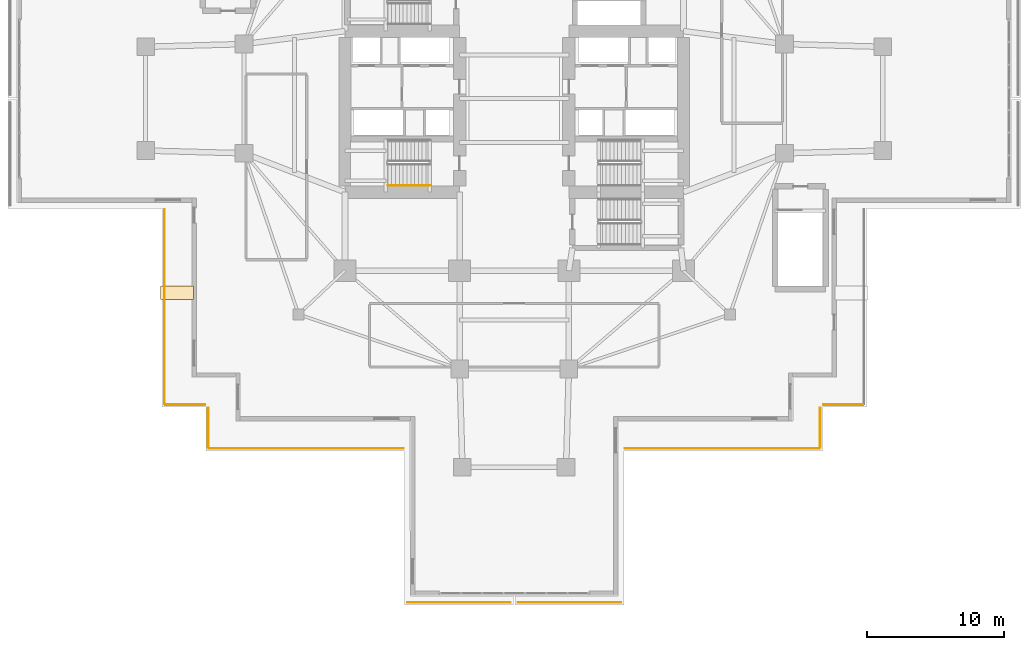
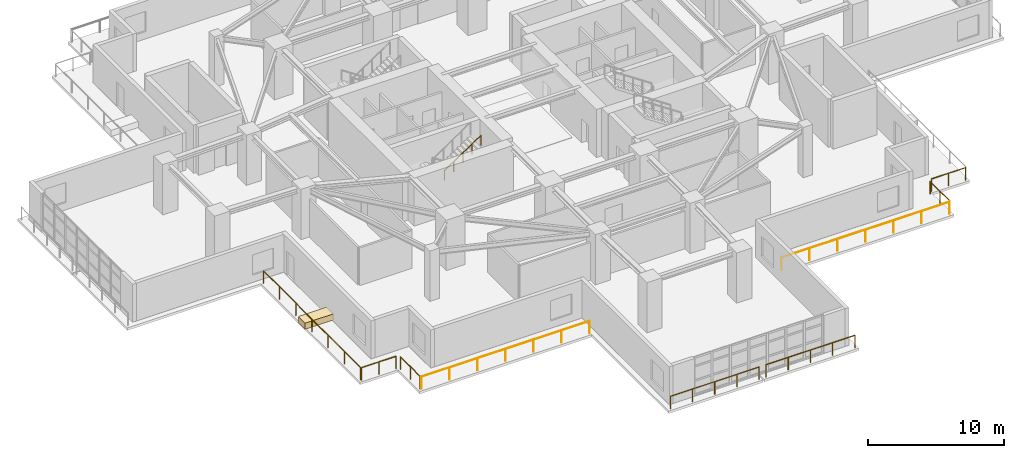
# One storey, part 19 of 24: 10 railings, 1 covering.
"""IFC4 building model written with IfcOpenShell, lengths in metres."""

from ifc_helpers import new_model, si_unit, direction, frame, origin, origin_2d, place, context, subcontext, project, spatial, rectangle, circle, extrude, material, layer, layer_set, type_object, element, save


model = new_model("IFC4")

# Units and contexts
model_context = context("Model", 3, precision=1e-05, world=origin(), true_north=direction((0.0, 1.0)))
body_context = subcontext(model_context, "Body", "Model", "MODEL_VIEW")
ifc_project = project(units=[si_unit("LENGTHUNIT", "METRE"), si_unit("AREAUNIT", "SQUARE_METRE"), si_unit("VOLUMEUNIT", "CUBIC_METRE"), si_unit("PLANEANGLEUNIT", "RADIAN"), si_unit("MASSUNIT", "GRAM", prefix="KILO")], contexts=[model_context])

# Site, building, storey
site_placement = place(None, origin())
site = spatial("IfcSite", under=ifc_project, at=site_placement, CompositionType="ELEMENT")
building_placement = place(site_placement, origin())
building = spatial("IfcBuilding", under=site, at=building_placement, Name="Qingluan Cross Belvedere", CompositionType="ELEMENT")
storey_placement = place(building_placement, frame((0.0, 0.0, 19.199951171875)))
storey = spatial("IfcBuildingStorey", under=building, at=storey_placement, Name="L05", CompositionType="ELEMENT", Elevation=19.199951171875)

# Railings
ifc_material_1 = material(Name="Brushed stainless steel tubular handrail", Category="steel")
railing_type_1 = type_object("IfcRailingType", Name="StairPitchHandrail_900", PredefinedType="HANDRAIL", material=ifc_material_1)
railing_1_placement = place(storey_placement, frame((-9.260009765625, -6.35009765625, 2.4375)))
element("IfcRailing", 1, at=railing_1_placement, inside=storey, type_object=railing_type_1, Name="L05 ST1 stair handrail 2", PredefinedType="HANDRAIL", context=body_context, shape_type="SweptSolid", body=[
    extrude(circle(Radius=0.02392578125, at=origin_2d()), frame((0.0, 0.0, 0.8759765625), z_axis=(0.830913701846, 0.0, 0.55640131208), x_axis=(0.0, 1.0, 0.0)), (0.0, 0.0, 1.0), 3.706787109375),
    extrude(circle(Radius=0.02099609375, at=origin_2d()), origin(), (0.0, 0.0, 1.0), 0.851806640625),
    extrude(circle(Radius=0.02099609375, at=origin_2d()), frame((0.77001953125, 0.0, 0.515625)), (0.0, 0.0, 1.0), 0.851806640625),
    extrude(circle(Radius=0.02099609375, at=origin_2d()), frame((1.5400390625, 0.0, 1.03125)), (0.0, 0.0, 1.0), 0.851806640625),
    extrude(circle(Radius=0.02099609375, at=origin_2d()), frame((2.31005859375, 0.0, 1.546875)), (0.0, 0.0, 1.0), 0.851806640625),
    extrude(circle(Radius=0.02099609375, at=origin_2d()), frame((3.080078125, 0.0, 2.0625)), (0.0, 0.0, 1.0), 0.851806640625),
])
ifc_material_2 = material(Name="Laminated glass and stainless steel balustrade", Category="steel")
railing_type_2 = type_object("IfcRailingType", Name="TerraceGuardBalustrade_1150", PredefinedType="BALUSTRADE", material=ifc_material_2)
railing_2_placement = place(storey_placement, frame((-0.2900390625, -36.919921875, 0.0)))
element("IfcRailing", 2, at=railing_2_placement, inside=storey, type_object=railing_type_2, Name="Terrace guard L05-1", PredefinedType="BALUSTRADE", context=body_context, shape_type="SweptSolid", body=[
    extrude(circle(Radius=0.02392578125, at=origin_2d()), frame((0.0, 0.0, 1.1259765625), z_axis=(-1.0, 0.0, 0.0), x_axis=(0.0, -1.0, 0.0)), (0.0, 0.0, 1.0), 7.52001953125),
    extrude(circle(Radius=0.02099609375, at=origin_2d()), origin(), (0.0, 0.0, 1.0), 1.101806640625),
    extrude(circle(Radius=0.02099609375, at=origin_2d()), frame((-1.8798828125, 0.0, 0.0)), (0.0, 0.0, 1.0), 1.101806640625),
    extrude(circle(Radius=0.02099609375, at=origin_2d()), frame((-3.760009765625, 0.0, 0.0)), (0.0, 0.0, 1.0), 1.101806640625),
    extrude(circle(Radius=0.02099609375, at=origin_2d()), frame((-5.64013671875, 0.0, 0.0)), (0.0, 0.0, 1.0), 1.101806640625),
    extrude(circle(Radius=0.02099609375, at=origin_2d()), frame((-7.52001953125, 0.0, 0.0)), (0.0, 0.0, 1.0), 1.101806640625),
])
railing_3_placement = place(storey_placement, frame((-8.110107421875, -25.6201171875, 0.0)))
element("IfcRailing", 3, at=railing_3_placement, inside=storey, type_object=railing_type_2, Name="Terrace guard L05-2", PredefinedType="BALUSTRADE", context=body_context, shape_type="SweptSolid", body=[
    extrude(circle(Radius=0.02392578125, at=origin_2d()), frame((0.0, 0.0, 1.1259765625), z_axis=(-1.0, 0.0, 0.0), x_axis=(0.0, -1.0, 0.0)), (0.0, 0.0, 1.0), 14.25),
    extrude(circle(Radius=0.02099609375, at=origin_2d()), origin(), (0.0, 0.0, 1.0), 1.101806640625),
    extrude(circle(Radius=0.02099609375, at=origin_2d()), frame((-2.375, 0.0, 0.0)), (0.0, 0.0, 1.0), 1.101806640625),
    extrude(circle(Radius=0.02099609375, at=origin_2d()), frame((-4.75, 0.0, 0.0)), (0.0, 0.0, 1.0), 1.101806640625),
    extrude(circle(Radius=0.02099609375, at=origin_2d()), frame((-7.125, 0.0, 0.0)), (0.0, 0.0, 1.0), 1.101806640625),
    extrude(circle(Radius=0.02099609375, at=origin_2d()), frame((-9.5, 0.0, 0.0)), (0.0, 0.0, 1.0), 1.101806640625),
    extrude(circle(Radius=0.02099609375, at=origin_2d()), frame((-11.875, 0.0, 0.0)), (0.0, 0.0, 1.0), 1.101806640625),
    extrude(circle(Radius=0.02099609375, at=origin_2d()), frame((-14.25, 0.0, 0.0)), (0.0, 0.0, 1.0), 1.101806640625),
])
railing_4_placement = place(storey_placement, frame((-22.419921875, -25.56005859375, 0.0)))
element("IfcRailing", 4, at=railing_4_placement, inside=storey, type_object=railing_type_2, Name="Terrace guard L05-3", PredefinedType="BALUSTRADE", context=body_context, shape_type="SweptSolid", body=[
    extrude(circle(Radius=0.02392578125, at=origin_2d()), frame((0.0, 0.0, 1.1259765625), z_axis=(0.0, 1.0, 0.0), x_axis=(-1.0, 0.0, 0.0)), (0.0, 0.0, 1.0), 2.900146484375),
    extrude(circle(Radius=0.02099609375, at=origin_2d()), origin(), (0.0, 0.0, 1.0), 1.101806640625),
    extrude(circle(Radius=0.02099609375, at=origin_2d()), frame((0.0, 1.4501953125, 0.0)), (0.0, 0.0, 1.0), 1.101806640625),
    extrude(circle(Radius=0.02099609375, at=origin_2d()), frame((0.0, 2.900146484375, 0.0)), (0.0, 0.0, 1.0), 1.101806640625),
])
railing_5_placement = place(storey_placement, frame((-22.659912109375, -22.419921875, 0.0)))
element("IfcRailing", 5, at=railing_5_placement, inside=storey, type_object=railing_type_2, Name="Terrace guard L05-4", PredefinedType="BALUSTRADE", context=body_context, shape_type="SweptSolid", body=[
    extrude(circle(Radius=0.02392578125, at=origin_2d()), frame((0.0, 0.0, 1.1259765625), z_axis=(-1.0, 0.0, 0.0), x_axis=(0.0, -1.0, 0.0)), (0.0, 0.0, 1.0), 2.900146484375),
    extrude(circle(Radius=0.02099609375, at=origin_2d()), origin(), (0.0, 0.0, 1.0), 1.101806640625),
    extrude(circle(Radius=0.02099609375, at=origin_2d()), frame((-1.4501953125, 0.0, 0.0)), (0.0, 0.0, 1.0), 1.101806640625),
    extrude(circle(Radius=0.02099609375, at=origin_2d()), frame((-2.900146484375, 0.0, 0.0)), (0.0, 0.0, 1.0), 1.101806640625),
])
railing_6_placement = place(storey_placement, frame((-25.6201171875, -22.360107421875, 0.0)))
element("IfcRailing", 6, at=railing_6_placement, inside=storey, type_object=railing_type_2, Name="Terrace guard L05-5", PredefinedType="BALUSTRADE", context=body_context, shape_type="SweptSolid", body=[
    extrude(circle(Radius=0.02392578125, at=origin_2d()), frame((0.0, 0.0, 1.1259765625), z_axis=(0.0, 1.0, 0.0), x_axis=(-1.0, 0.0, 0.0)), (0.0, 0.0, 1.0), 14.25),
    extrude(circle(Radius=0.02099609375, at=origin_2d()), origin(), (0.0, 0.0, 1.0), 1.101806640625),
    extrude(circle(Radius=0.02099609375, at=origin_2d()), frame((0.0, 2.375, 0.0)), (0.0, 0.0, 1.0), 1.101806640625),
    extrude(circle(Radius=0.02099609375, at=origin_2d()), frame((0.0, 4.75, 0.0)), (0.0, 0.0, 1.0), 1.101806640625),
    extrude(circle(Radius=0.02099609375, at=origin_2d()), frame((0.0, 7.125, 0.0)), (0.0, 0.0, 1.0), 1.101806640625),
    extrude(circle(Radius=0.02099609375, at=origin_2d()), frame((0.0, 9.5, 0.0)), (0.0, 0.0, 1.0), 1.101806640625),
    extrude(circle(Radius=0.02099609375, at=origin_2d()), frame((0.0, 11.875, 0.0)), (0.0, 0.0, 1.0), 1.101806640625),
    extrude(circle(Radius=0.02099609375, at=origin_2d()), frame((0.0, 14.25, 0.0)), (0.0, 0.0, 1.0), 1.101806640625),
])
railing_7_placement = place(storey_placement, frame((7.81005859375, -36.919921875, 0.0)))
element("IfcRailing", 7, at=railing_7_placement, inside=storey, type_object=railing_type_2, Name="Terrace guard L05-1", PredefinedType="BALUSTRADE", context=body_context, shape_type="SweptSolid", body=[
    extrude(circle(Radius=0.02392578125, at=origin_2d()), frame((0.0, 0.0, 1.1259765625), z_axis=(-1.0, 0.0, 0.0), x_axis=(0.0, -1.0, 0.0)), (0.0, 0.0, 1.0), 7.52001953125),
    extrude(circle(Radius=0.02099609375, at=origin_2d()), origin(), (0.0, 0.0, 1.0), 1.101806640625),
    extrude(circle(Radius=0.02099609375, at=origin_2d()), frame((-1.8798828125, 0.0, 0.0)), (0.0, 0.0, 1.0), 1.101806640625),
    extrude(circle(Radius=0.02099609375, at=origin_2d()), frame((-3.760009765625, 0.0, 0.0)), (0.0, 0.0, 1.0), 1.101806640625),
    extrude(circle(Radius=0.02099609375, at=origin_2d()), frame((-5.64013671875, 0.0, 0.0)), (0.0, 0.0, 1.0), 1.101806640625),
    extrude(circle(Radius=0.02099609375, at=origin_2d()), frame((-7.52001953125, 0.0, 0.0)), (0.0, 0.0, 1.0), 1.101806640625),
])
railing_8_placement = place(storey_placement, frame((25.56005859375, -22.419921875, 0.0)))
element("IfcRailing", 8, at=railing_8_placement, inside=storey, type_object=railing_type_2, Name="Terrace guard L05-4", PredefinedType="BALUSTRADE", context=body_context, shape_type="SweptSolid", body=[
    extrude(circle(Radius=0.02392578125, at=origin_2d()), frame((0.0, 0.0, 1.1259765625), z_axis=(-1.0, 0.0, 0.0), x_axis=(0.0, -1.0, 0.0)), (0.0, 0.0, 1.0), 2.900146484375),
    extrude(circle(Radius=0.02099609375, at=origin_2d()), origin(), (0.0, 0.0, 1.0), 1.101806640625),
    extrude(circle(Radius=0.02099609375, at=origin_2d()), frame((-1.4501953125, 0.0, 0.0)), (0.0, 0.0, 1.0), 1.101806640625),
    extrude(circle(Radius=0.02099609375, at=origin_2d()), frame((-2.900146484375, 0.0, 0.0)), (0.0, 0.0, 1.0), 1.101806640625),
])
railing_9_placement = place(storey_placement, frame((22.419921875, -22.659912109375, 0.0)))
element("IfcRailing", 9, at=railing_9_placement, inside=storey, type_object=railing_type_2, Name="Terrace guard L05-5", PredefinedType="BALUSTRADE", context=body_context, shape_type="SweptSolid", body=[
    extrude(circle(Radius=0.02392578125, at=origin_2d()), frame((0.0, 0.0, 1.1259765625), z_axis=(0.0, -1.0, 0.0), x_axis=(1.0, 0.0, 0.0)), (0.0, 0.0, 1.0), 2.900146484375),
    extrude(circle(Radius=0.02099609375, at=origin_2d()), origin(), (0.0, 0.0, 1.0), 1.101806640625),
    extrude(circle(Radius=0.02099609375, at=origin_2d()), frame((0.0, -1.4501953125, 0.0)), (0.0, 0.0, 1.0), 1.101806640625),
    extrude(circle(Radius=0.02099609375, at=origin_2d()), frame((0.0, -2.900146484375, 0.0)), (0.0, 0.0, 1.0), 1.101806640625),
])
railing_10_placement = place(storey_placement, frame((22.360107421875, -25.6201171875, 0.0)))
element("IfcRailing", 10, at=railing_10_placement, inside=storey, type_object=railing_type_2, Name="Terrace guard L05-6", PredefinedType="BALUSTRADE", context=body_context, shape_type="SweptSolid", body=[
    extrude(circle(Radius=0.02392578125, at=origin_2d()), frame((0.0, 0.0, 1.1259765625), z_axis=(-1.0, 0.0, 0.0), x_axis=(0.0, -1.0, 0.0)), (0.0, 0.0, 1.0), 14.25),
    extrude(circle(Radius=0.02099609375, at=origin_2d()), origin(), (0.0, 0.0, 1.0), 1.101806640625),
    extrude(circle(Radius=0.02099609375, at=origin_2d()), frame((-2.375, 0.0, 0.0)), (0.0, 0.0, 1.0), 1.101806640625),
    extrude(circle(Radius=0.02099609375, at=origin_2d()), frame((-4.75, 0.0, 0.0)), (0.0, 0.0, 1.0), 1.101806640625),
    extrude(circle(Radius=0.02099609375, at=origin_2d()), frame((-7.125, 0.0, 0.0)), (0.0, 0.0, 1.0), 1.101806640625),
    extrude(circle(Radius=0.02099609375, at=origin_2d()), frame((-9.5, 0.0, 0.0)), (0.0, 0.0, 1.0), 1.101806640625),
    extrude(circle(Radius=0.02099609375, at=origin_2d()), frame((-11.875, 0.0, 0.0)), (0.0, 0.0, 1.0), 1.101806640625),
    extrude(circle(Radius=0.02099609375, at=origin_2d()), frame((-14.25, 0.0, 0.0)), (0.0, 0.0, 1.0), 1.101806640625),
])

# Covering
ifc_material_3 = material(Name="Precast concrete C40", Category="concrete")
ifc_layer = layer(ifc_material_3, 0.550048828125, Name="TerracePlanterBox")
ifc_layer_set = layer_set([ifc_layer], Name="Precast concrete C40")
covering_type = type_object("IfcCoveringType", Name="TerracePlanterBox", PredefinedType="USERDEFINED", material=ifc_layer_set)
covering_placement = place(storey_placement, frame((-24.7099609375, -14.22705078125, 0.0), z_axis=(0.0, 0.0, 1.0), x_axis=(1.0, 0.0, 0.0)))
element("IfcCovering", 11, at=covering_placement, inside=storey, type_object=covering_type, Name="Cascading garden terrace planter L05-3", ObjectType="PLANTER", PredefinedType="USERDEFINED", context=body_context, shape_type="SweptSolid", body=[
    extrude(rectangle(XDim=2.39990234375, YDim=1.0, at=origin_2d()), origin(), (0.0, 0.0, 1.0), 0.550048828125),
])

save(model, "model.ifc")
